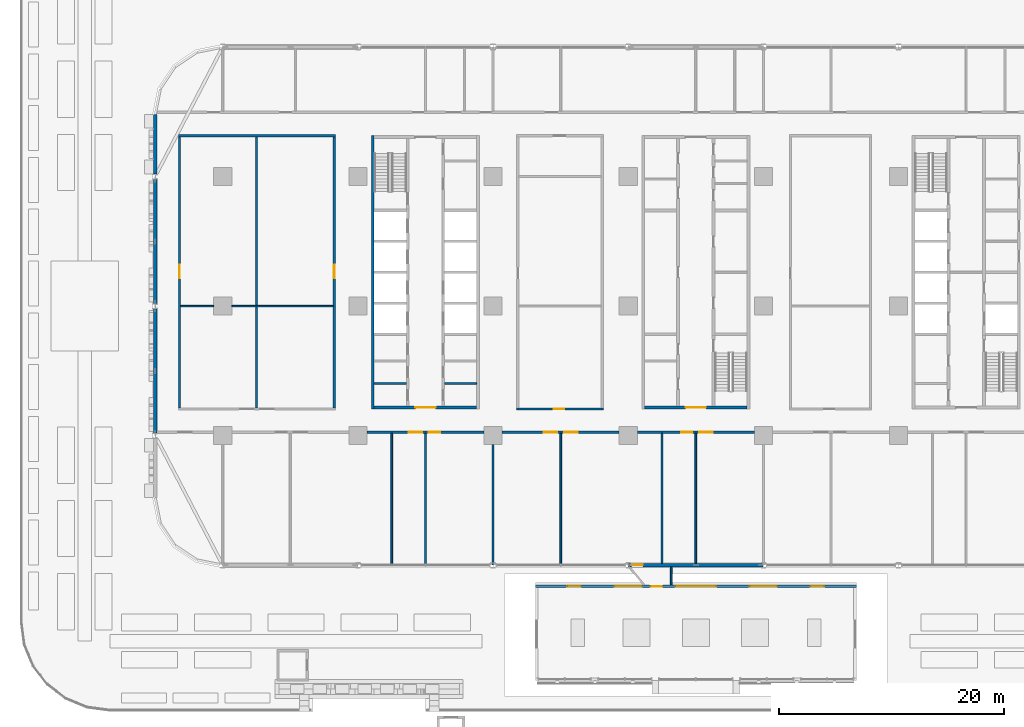
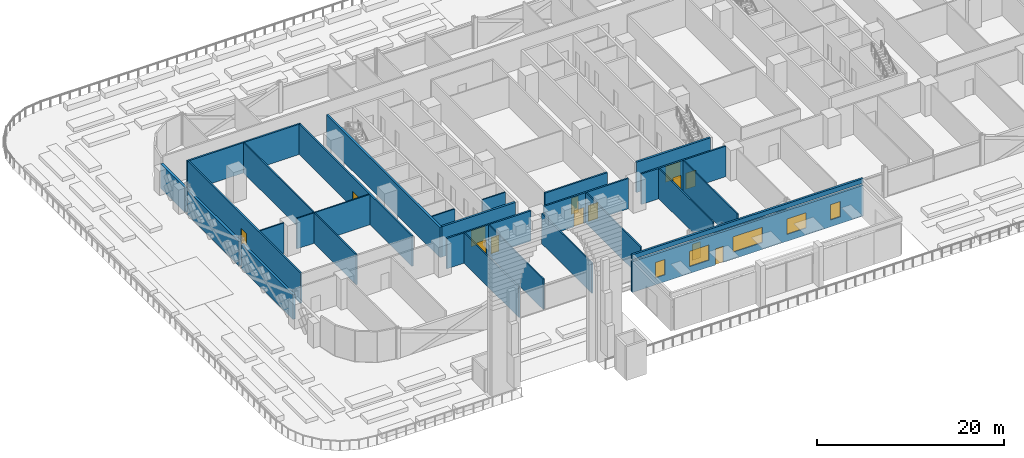
# One storey, part 12 of 39: 28 walls, 13 doors, 5 windows, 18 openings.
"""IFC4 building model written with IfcOpenShell, lengths in metres."""

import ifcopenshell
import ifcopenshell.guid

model = None  # the IFC model being written
_history = None  # IfcOwnerHistory: only IFC2X3 demands one
_inside = {}  # id of a spatial element -> (the spatial element, [elements in it])
_under = {}  # id of a project, library or spatial element -> (it, [spatial elements below it])
_declared = {}  # id of a project -> (the project, [libraries it declares])
_typed = {}  # id of a type object -> (the type object, [elements of that type])
_made_of = {}  # id of a material, layer set ... -> (it, [elements and type objects made of it])


def new_model(schema):
    """Start an empty IFC model of exactly this schema.

    Asked for "IFC4X3", IfcOpenShell would pick the latest addendum, in which some entities
    have other attributes; the version numbers below select the first issue.
    IFC2X3 requires an IfcOwnerHistory on every rooted entity: one is made here for all.
    """
    global model, _history
    if schema == "IFC4X3":
        model = ifcopenshell.file(schema_version=(4, 3, 0, 0))
    else:
        model = ifcopenshell.file(schema=schema)
    _inside.clear()
    _under.clear()
    _declared.clear()
    _typed.clear()
    _made_of.clear()
    _history = None
    if model.schema == "IFC2X3":
        org = make("IfcOrganization", Name="unknown")
        user = make(
            "IfcPersonAndOrganization",
            ThePerson=make("IfcPerson", FamilyName="unknown"),
            TheOrganization=org,
        )
        app = make(
            "IfcApplication",
            ApplicationDeveloper=org,
            Version="unknown",
            ApplicationFullName="unknown",
            ApplicationIdentifier="unknown",
        )
        _history = make(
            "IfcOwnerHistory",
            OwningUser=user,
            OwningApplication=app,
            ChangeAction="ADDED",
            CreationDate=0,
        )
    return model


def make(cls, **values):
    """One entity of the class cls with the attributes given. An attribute that is None is left unset."""
    return model.create_entity(
        cls, **{name: value for name, value in values.items() if value is not None}
    )


def rooted(cls, **values):
    """An entity with a GlobalId (a new one), such as an element, a storey or a relation."""
    return make(cls, GlobalId=ifcopenshell.guid.new(), OwnerHistory=_history, **values)


def si_unit(unit_type, name, prefix=None):
    """IfcSIUnit, for example si_unit("LENGTHUNIT", "METRE", prefix="MILLI")."""
    return make("IfcSIUnit", UnitType=unit_type, Prefix=prefix, Name=name)


def assignment(units):
    """IfcUnitAssignment: the units of a project."""
    return None if units is None else make("IfcUnitAssignment", Units=units)


def point(xyz):
    """IfcCartesianPoint."""
    return None if xyz is None else make("IfcCartesianPoint", Coordinates=xyz)


def direction(xyz):
    """IfcDirection."""
    return None if xyz is None else make("IfcDirection", DirectionRatios=xyz)


def frame(location, z_axis=None, x_axis=None):
    """IfcAxis2Placement3D, a coordinate frame: its origin and axes. An axis left out is left unset."""
    return make(
        "IfcAxis2Placement3D",
        Location=point(location),
        Axis=direction(z_axis),
        RefDirection=direction(x_axis),
    )


def frame_2d(location, x_axis=None):
    """IfcAxis2Placement2D, a coordinate frame in the plane: its origin and x axis."""
    return make(
        "IfcAxis2Placement2D", Location=point(location), RefDirection=direction(x_axis)
    )


def origin():
    """The frame at (0, 0, 0) with its axes left unset."""
    return frame((0.0, 0.0, 0.0))


def place(relative_to, where):
    """IfcLocalPlacement: puts the frame where relative to a parent placement (None: the world)."""
    return make(
        "IfcLocalPlacement", PlacementRelTo=relative_to, RelativePlacement=where
    )


def context(
    kind, dimensions, precision=None, world=None, true_north=None, identifier=None
):
    """IfcGeometricRepresentationContext, for example the 3D "Model" context."""
    return make(
        "IfcGeometricRepresentationContext",
        ContextIdentifier=identifier,
        ContextType=kind,
        CoordinateSpaceDimension=dimensions,
        Precision=precision,
        WorldCoordinateSystem=world,
        TrueNorth=true_north,
    )


def subcontext(parent, identifier, kind, view, scale=None):
    """IfcGeometricRepresentationSubContext, for example "Body" below "Model"."""
    return make(
        "IfcGeometricRepresentationSubContext",
        ContextIdentifier=identifier,
        ContextType=kind,
        ParentContext=parent,
        TargetScale=scale,
        TargetView=view,
    )


def project(units=None, contexts=None):
    """IfcProject with its units and contexts."""
    return rooted(
        "IfcProject",
        Name="project",
        RepresentationContexts=contexts,
        UnitsInContext=assignment(units),
    )


def spatial(cls, under=None, at=None, **own):
    """A site, building, storey or space (cls), placed at a placement, below another one or the project."""
    s = rooted(cls, ObjectPlacement=at, **own)
    if under is not None:
        _under.setdefault(under.id(), (under, []))[1].append(s)
    return s


def profile(cls, at=None, kind="AREA", **sizes):
    """A parametric profile (cls). Its sizes go by their IFC names, for example OverallWidth=200.0."""
    return make(cls, ProfileType=kind, Position=at, **sizes)


def rectangle(**sizes):
    """IfcRectangleProfileDef."""
    return profile("IfcRectangleProfileDef", **sizes)


def extrude(swept, where, along, depth):
    """IfcExtrudedAreaSolid: the profile swept, set in the frame where, extruded along a direction by depth."""
    return make(
        "IfcExtrudedAreaSolid",
        SweptArea=swept,
        Position=where,
        ExtrudedDirection=direction(along),
        Depth=depth,
    )


def shape(context_of_items, identifier, shape_type, items):
    """IfcShapeRepresentation: the items that make up one representation, for example the "Body"."""
    return make(
        "IfcShapeRepresentation",
        ContextOfItems=context_of_items,
        RepresentationIdentifier=identifier,
        RepresentationType=shape_type,
        Items=items,
    )


def material(Name=None, Category=None):
    """IfcMaterial."""
    return make("IfcMaterial", Name=Name, Category=Category)


def layer(
    of_material, thickness, ventilated=None, Name=None, Category=None, Priority=None
):
    """IfcMaterialLayer: one layer of a wall or slab, of a material (None: an air gap)."""
    return make(
        "IfcMaterialLayer",
        Material=of_material,
        LayerThickness=thickness,
        IsVentilated=ventilated,
        Name=Name,
        Category=Category,
        Priority=Priority,
    )


def layer_set(layers, Name=None):
    """IfcMaterialLayerSet."""
    return make("IfcMaterialLayerSet", MaterialLayers=layers, LayerSetName=Name)


def made_of(thing, what):
    """Note that an element or type object is made of a material, layer set ...; save() writes the relation."""
    if what is not None:
        _made_of.setdefault(what.id(), (what, []))[1].append(thing)
    return thing


def type_object(cls, material=None, **own):
    """A type object (cls), such as IfcWallType, which elements share."""
    return made_of(rooted(cls, **own), material)


def element(
    cls,
    number,
    at=None,
    inside=None,
    cuts=None,
    type_object=None,
    material=None,
    context=None,
    identifier="Body",
    shape_type=None,
    held_by="IfcProductDefinitionShape",
    body=None,
    shapes=None,
    **own,
):
    """One element of the class cls, such as IfcWall. Its Tag is "e" and its number.

    at: its placement. inside: the storey or other place that contains it. cuts: it is an
    opening in that element (IfcRelVoidsElement). A single representation is given by context,
    identifier, shape_type and body (its items); several are given by shapes. held_by: the class
    of the entity that holds the representations. save() writes the other relations.
    """
    e = rooted(cls, Tag="e%d" % number, ObjectPlacement=at, **own)
    if body is not None:
        shapes = [shape(context, identifier, shape_type, body)]
    if shapes is not None:
        e.Representation = make(held_by, Representations=shapes)
    if inside is not None:
        _inside.setdefault(inside.id(), (inside, []))[1].append(e)
    if cuts is not None:
        rooted(
            "IfcRelVoidsElement", RelatingBuildingElement=cuts, RelatedOpeningElement=e
        )
    if type_object is not None:
        _typed.setdefault(type_object.id(), (type_object, []))[1].append(e)
    return made_of(e, material)


def fill(opening, filler):
    """IfcRelFillsElement: the door or window that sits in an opening."""
    return rooted(
        "IfcRelFillsElement",
        RelatingOpeningElement=opening,
        RelatedBuildingElement=filler,
    )


def aggregate(whole, parts):
    """IfcRelAggregates: a whole, such as a stair, and the parts it consists of."""
    return rooted("IfcRelAggregates", RelatingObject=whole, RelatedObjects=parts)


def save(model, path):
    """Write the relations noted so far, then the file.

    IfcRelAggregates (storeys below a building ...), IfcRelContainedInSpatialStructure (elements
    in a storey), IfcRelDefinesByType, IfcRelAssociatesMaterial and IfcRelDeclares: one each for
    every whole, place, type object, material and project.
    """
    for whole, parts in _under.values():
        aggregate(whole, parts)
    for where, things in _inside.values():
        rooted(
            "IfcRelContainedInSpatialStructure",
            RelatedElements=things,
            RelatingStructure=where,
        )
    for kind, things in _typed.values():
        rooted("IfcRelDefinesByType", RelatedObjects=things, RelatingType=kind)
    for what, things in _made_of.values():
        rooted("IfcRelAssociatesMaterial", RelatedObjects=things, RelatingMaterial=what)
    for by, libraries in _declared.values():
        rooted("IfcRelDeclares", RelatingContext=by, RelatedDefinitions=libraries)
    model.write(path)


model = new_model("IFC4")

# Units and contexts
model_context = context("Model", 3, precision=1e-05, world=origin(), true_north=direction((0.0, 1.0)))
body_context = subcontext(model_context, "Body", "Model", "MODEL_VIEW")
ifc_project = project(units=[si_unit("LENGTHUNIT", "METRE"), si_unit("AREAUNIT", "SQUARE_METRE"), si_unit("VOLUMEUNIT", "CUBIC_METRE"), si_unit("PLANEANGLEUNIT", "RADIAN"), si_unit("MASSUNIT", "GRAM", prefix="KILO")], contexts=[model_context])

# Site, building, storey
site_placement = place(None, origin())
site = spatial("IfcSite", under=ifc_project, at=site_placement, CompositionType="ELEMENT")
building_placement = place(site_placement, origin())
building = spatial("IfcBuilding", under=site, at=building_placement, Name="Mahtab Terrace Research Tower", CompositionType="ELEMENT")
storey_placement = place(building_placement, frame((0.0, 0.0, 7.199951171875)))
storey = spatial("IfcBuildingStorey", under=building, at=storey_placement, Name="L01", CompositionType="ELEMENT", Elevation=7.199951171875)

# Walls
ifc_material_1 = material(Name="Gypsum board partition")
ifc_layer_1 = layer(ifc_material_1, 0.14990234375)
ifc_layer_set_1 = layer_set([ifc_layer_1], Name="Core partition 150")
wall_type_1 = type_object("IfcWallType", Name="Core partition 150", PredefinedType="PARTITIONING", material=ifc_layer_set_1)
for number, where, z_axis, x_axis, name in (
    (1, (-28.550048828125, -6.875, 0.0), (0.0, 0.0, 1.0), (1.0, 0.0, 0.0), "Core wall A pWS-988"),
    (2, (-22.300048828125, -6.875, 0.0), (0.0, 0.0, 1.0), (1.0, 0.0, 0.0), "Core wall A pES-988"),
):
    element("IfcWall", number, at=place(storey_placement, frame(where, z_axis=z_axis, x_axis=x_axis)), inside=storey, type_object=wall_type_1, Name=name, PredefinedType="PARTITIONING", context=body_context, shape_type="SweptSolid", body=[
        extrude(rectangle(XDim=2.85009765625, YDim=0.14990234375, at=frame_2d((1.425048828125, 0.0))), origin(), (0.0, 0.0, 1.0), 3.9599609375),
    ])
ifc_material_2 = material(Name="Concrete C70/85", Category="concrete")
ifc_layer_2 = layer(ifc_material_2, 0.25)
ifc_layer_set_2 = layer_set([ifc_layer_2], Name="Core wall 250")
wall_type_2 = type_object("IfcWallType", Name="Core wall 250", PredefinedType="SOLIDWALL", material=ifc_layer_set_2)
wall_1_placement = place(storey_placement, frame((-28.675048828125, 15.125, 0.0), z_axis=(0.0, 0.0, 1.0), x_axis=(0.0, -1.0, 0.0)))
element("IfcWall", 3, at=wall_1_placement, inside=storey, type_object=wall_type_2, Name="Core wall A outerW", PredefinedType="SOLIDWALL", context=body_context, shape_type="SweptSolid", body=[
    extrude(rectangle(XDim=24.25, YDim=0.25, at=frame_2d((12.125, 0.0))), origin(), (0.0, 0.0, 1.0), 3.9599609375),
])

# Wall, opening, door
wall_2_placement = place(storey_placement, frame((-19.449951171875, -9.0, 0.0), z_axis=(0.0, 0.0, 1.0), x_axis=(-1.0, 0.0, 0.0)))
wall_2 = element("IfcWall", 4, at=wall_2_placement, inside=storey, type_object=wall_type_2, Name="Core wall A endS", PredefinedType="SOLIDWALL", context=body_context, shape_type="SweptSolid", body=[
    extrude(rectangle(XDim=9.10009765625, YDim=0.25, at=frame_2d((4.550048828125, 0.0))), origin(), (0.0, 0.0, 1.0), 3.9599609375),
])
opening_1_placement = place(wall_2_placement, frame((3.64990234375, 0.0, 0.0)))
opening_1 = element("IfcOpeningElement", 5, at=opening_1_placement, cuts=wall_2, Name="Opening A-S1", PredefinedType="OPENING", context=body_context, shape_type="SweptSolid", body=[
    extrude(rectangle(XDim=1.800048828125, YDim=2.10009765625, at=frame_2d((0.89990234375, 1.050048828125))), frame((0.0, 0.135009765625, 0.0), z_axis=(0.0, -1.0, 0.0), x_axis=(1.0, 0.0, 0.0)), (0.0, 0.0, 1.0), 0.27001953125),
])
ifc_material_3 = material(Name="Steel fire door", Category="steel")
door_type_1 = type_object("IfcDoorType", Name="Lobby double door 1800x2100 1 HR", OperationType="DOUBLE_DOOR_SINGLE_SWING", PredefinedType="DOOR", material=ifc_material_3)
door_1_placement = place(opening_1_placement, origin())
door_1 = element("IfcDoor", 6, at=door_1_placement, inside=storey, type_object=door_type_1, Name="Core entrance door A S", OperationType="DOUBLE_DOOR_SINGLE_SWING", OverallHeight=2.10009765625, OverallWidth=1.800048828125, PredefinedType="DOOR", context=body_context, shape_type="SweptSolid", body=[
    extrude(rectangle(XDim=1.800048828125, YDim=2.10009765625, at=frame_2d((0.89990234375, 1.050048828125))), frame((0.0, 0.02490234375, 0.0), z_axis=(0.0, -1.0, 0.0), x_axis=(1.0, 0.0, 0.0)), (0.0, 0.0, 1.0), 0.050048828125),
])
fill(opening_1, door_1)

wall_3_placement = place(storey_placement, frame((4.550048828125, -9.0, 0.0), z_axis=(0.0, 0.0, 1.0), x_axis=(-1.0, 0.0, 0.0)))
wall_3 = element("IfcWall", 7, at=wall_3_placement, inside=storey, type_object=wall_type_2, Name="Core wall B endS", PredefinedType="SOLIDWALL", context=body_context, shape_type="SweptSolid", body=[
    extrude(rectangle(XDim=9.10009765625, YDim=0.25, at=frame_2d((4.550048828125, 0.0))), origin(), (0.0, 0.0, 1.0), 3.9599609375),
])
opening_2_placement = place(wall_3_placement, frame((3.64990234375, 0.0, 0.0)))
opening_2 = element("IfcOpeningElement", 8, at=opening_2_placement, cuts=wall_3, Name="Opening B-S1", PredefinedType="OPENING", context=body_context, shape_type="SweptSolid", body=[
    extrude(rectangle(XDim=1.800048828125, YDim=2.10009765625, at=frame_2d((0.89990234375, 1.050048828125))), frame((0.0, 0.135009765625, 0.0), z_axis=(0.0, -1.0, 0.0), x_axis=(1.0, 0.0, 0.0)), (0.0, 0.0, 1.0), 0.27001953125),
])
door_2_placement = place(opening_2_placement, origin())
door_2 = element("IfcDoor", 9, at=door_2_placement, inside=storey, type_object=door_type_1, Name="Core entrance door B S", OperationType="DOUBLE_DOOR_SINGLE_SWING", OverallHeight=2.10009765625, OverallWidth=1.800048828125, PredefinedType="DOOR", context=body_context, shape_type="SweptSolid", body=[
    extrude(rectangle(XDim=1.800048828125, YDim=2.10009765625, at=frame_2d((0.89990234375, 1.050048828125))), frame((0.0, 0.02490234375, 0.0), z_axis=(0.0, -1.0, 0.0), x_axis=(1.0, 0.0, 0.0)), (0.0, 0.0, 1.0), 0.050048828125),
])
fill(opening_2, door_2)

# Walls
ifc_material_4 = material(Name="Black aluminium cladding panel", Category="aluminium")
ifc_layer_3 = layer(ifc_material_4, 0.300048828125)
ifc_layer_set_3 = layer_set([ifc_layer_3], Name="Opaque facade wall 300")
wall_type_3 = type_object("IfcWallType", Name="Opaque facade wall 300", PredefinedType="NOTDEFINED", material=ifc_layer_set_3)
wall_4_placement = place(storey_placement, frame((-48.0, 17.0, 0.0), z_axis=(0.0, 0.0, 1.0), x_axis=(0.0, -1.0, 0.0)))
element("IfcWall", 10, at=wall_4_placement, inside=storey, type_object=wall_type_3, Name="Opaque facade wall L01 W14", PredefinedType="NOTDEFINED", context=body_context, shape_type="SweptSolid", body=[
    extrude(rectangle(XDim=5.2509765625, YDim=0.300048828125, at=frame_2d((2.62548828125, 0.0))), origin(), (0.0, 0.0, 1.0), 3.203125),
])
for number, where, z_axis, x_axis, name in (
    (11, (-48.0, 11.2509765625, 0.0), (0.0, 0.0, 1.0), (0.0, -1.0, 0.0), "Opaque facade wall L01 W15"),
    (12, (-48.0, -0.2490234375, 0.0), (0.0, 0.0, 1.0), (0.0, -1.0, 0.0), "Opaque facade wall L01 W16"),
):
    element("IfcWall", number, at=place(storey_placement, frame(where, z_axis=z_axis, x_axis=x_axis)), inside=storey, type_object=wall_type_3, Name=name, PredefinedType="NOTDEFINED", context=body_context, shape_type="SweptSolid", body=[
        extrude(rectangle(XDim=11.001953125, YDim=0.300048828125, at=frame_2d((5.5009765625, 0.0))), origin(), (0.0, 0.0, 1.0), 3.203125),
    ])

# Wall, opening, door
wall_5_placement = place(storey_placement, frame((-5.97216796875, -23.0, 0.0), z_axis=(0.0, 0.0, 1.0), x_axis=(1.0, 0.0, 0.0)))
wall_5 = element("IfcWall", 13, at=wall_5_placement, inside=storey, type_object=wall_type_3, Name="Opaque facade wall L01 S25", PredefinedType="NOTDEFINED", context=body_context, shape_type="SweptSolid", body=[
    extrude(rectangle(XDim=11.9443359375, YDim=0.300048828125, at=frame_2d((5.97216796875, 0.0))), origin(), (0.0, 0.0, 1.0), 3.203125),
])
opening_3_placement = place(wall_5_placement, frame((0.272216796875, 0.0, 0.0)))
opening_3 = element("IfcOpeningElement", 14, at=opening_3_placement, cuts=wall_5, Name="Opening PVL-2", PredefinedType="OPENING", context=body_context, shape_type="SweptSolid", body=[
    extrude(rectangle(XDim=1.0, YDim=2.10009765625, at=frame_2d((0.5, 1.050048828125))), frame((0.0, 0.159912109375, 0.0), z_axis=(0.0, -1.0, 0.0), x_axis=(1.0, 0.0, 0.0)), (0.0, 0.0, 1.0), 0.320068359375),
])
ifc_material_5 = material(Name="Aluminium framed glazed door", Category="aluminium")
door_type_2 = type_object("IfcDoorType", Name="Link door 1000x2100", OperationType="NOTDEFINED", PredefinedType="DOOR", material=ifc_material_5)
door_3_placement = place(opening_3_placement, origin())
door_3 = element("IfcDoor", 15, at=door_3_placement, inside=storey, type_object=door_type_2, Name="Tower link door", OperationType="SINGLE_SWING_RIGHT", OverallHeight=2.10009765625, OverallWidth=1.0, PredefinedType="DOOR", context=body_context, shape_type="SweptSolid", body=[
    extrude(rectangle(XDim=1.0, YDim=2.10009765625, at=frame_2d((0.5, 1.050048828125))), frame((0.0, 0.02490234375, 0.0), z_axis=(0.0, -1.0, 0.0), x_axis=(1.0, 0.0, 0.0)), (0.0, 0.0, 1.0), 0.050048828125),
])
fill(opening_3, door_3)

# Wall
ifc_material_6 = material(Name="Concrete C40/50", Category="concrete")
ifc_layer_4 = layer(ifc_material_6, 0.14990234375)
ifc_layer_set_4 = layer_set([ifc_layer_4], Name="Pavilion link wall 150")
wall_type_4 = type_object("IfcWallType", Name="Pavilion link wall 150", PredefinedType="SOLIDWALL", material=ifc_layer_set_4)
wall_6_placement = place(storey_placement, frame((-2.175048828125, -24.75, 0.0), z_axis=(0.0, 0.0, 1.0), x_axis=(0.0, 1.0, 0.0)))
element("IfcWall", 16, at=wall_6_placement, inside=storey, type_object=wall_type_4, Name="Pavilion link wall E", PredefinedType="SOLIDWALL", context=body_context, shape_type="SweptSolid", body=[
    extrude(rectangle(XDim=1.60009765625, YDim=0.14990234375, at=frame_2d((0.800048828125, 0.0))), origin(), (0.0, 0.0, 1.0), 3.800048828125),
])

# Wall, openings, windows, door
ifc_layer_5 = layer(ifc_material_2, 0.25)
ifc_layer_set_5 = layer_set([ifc_layer_5], Name="Pavilion wall 250")
wall_type_5 = type_object("IfcWallType", Name="Pavilion wall 250", PredefinedType="SOLIDWALL", material=ifc_layer_set_5)
wall_7_placement = place(storey_placement, frame((-14.25, -24.875, 0.0), z_axis=(0.0, 0.0, 1.0), x_axis=(1.0, 0.0, 0.0)))
wall_7 = element("IfcWall", 17, at=wall_7_placement, inside=storey, type_object=wall_type_5, Name="Pavilion rear wall", PredefinedType="SOLIDWALL", context=body_context, shape_type="SweptSolid", body=[
    extrude(rectangle(XDim=28.5, YDim=0.25, at=frame_2d((14.25, 0.0))), origin(), (0.0, 0.0, 1.0), 4.0),
])
opening_4_placement = place(wall_7_placement, frame((2.85009765625, 0.0, 0.89990234375)))
opening_4 = element("IfcOpeningElement", 18, at=opening_4_placement, cuts=wall_7, Name="Opening WN3", PredefinedType="OPENING", context=body_context, shape_type="SweptSolid", body=[
    extrude(rectangle(XDim=1.199951171875, YDim=2.0, at=frame_2d((0.60009765625, 1.0))), frame((0.0, 0.135009765625, 0.0), z_axis=(0.0, -1.0, 0.0), x_axis=(1.0, 0.0, 0.0)), (0.0, 0.0, 1.0), 0.27001953125),
])
opening_5_placement = place(wall_7_placement, frame((7.050048828125, 0.0, 0.89990234375)))
opening_5 = element("IfcOpeningElement", 19, at=opening_5_placement, cuts=wall_7, Name="Opening WN1", PredefinedType="OPENING", context=body_context, shape_type="SweptSolid", body=[
    extrude(rectangle(XDim=2.39990234375, YDim=2.0, at=frame_2d((1.199951171875, 1.0))), frame((0.0, 0.135009765625, 0.0), z_axis=(0.0, -1.0, 0.0), x_axis=(1.0, 0.0, 0.0)), (0.0, 0.0, 1.0), 0.27001953125),
])
opening_6_placement = place(wall_7_placement, frame((12.449951171875, 0.0, 0.89990234375)))
opening_6 = element("IfcOpeningElement", 20, at=opening_6_placement, cuts=wall_7, Name="Opening WN2", PredefinedType="OPENING", context=body_context, shape_type="SweptSolid", body=[
    extrude(rectangle(XDim=3.60009765625, YDim=2.0, at=frame_2d((1.800048828125, 1.0))), frame((0.0, 0.135009765625, 0.0), z_axis=(0.0, -1.0, 0.0), x_axis=(1.0, 0.0, 0.0)), (0.0, 0.0, 1.0), 0.27001953125),
])
opening_7_placement = place(wall_7_placement, frame((19.050048828125, 0.0, 0.89990234375)))
opening_7 = element("IfcOpeningElement", 21, at=opening_7_placement, cuts=wall_7, Name="Opening WN1", PredefinedType="OPENING", context=body_context, shape_type="SweptSolid", body=[
    extrude(rectangle(XDim=2.39990234375, YDim=2.0, at=frame_2d((1.199951171875, 1.0))), frame((0.0, 0.135009765625, 0.0), z_axis=(0.0, -1.0, 0.0), x_axis=(1.0, 0.0, 0.0)), (0.0, 0.0, 1.0), 0.27001953125),
])
opening_8_placement = place(wall_7_placement, frame((24.449951171875, 0.0, 0.89990234375)))
opening_8 = element("IfcOpeningElement", 22, at=opening_8_placement, cuts=wall_7, Name="Opening WN3", PredefinedType="OPENING", context=body_context, shape_type="SweptSolid", body=[
    extrude(rectangle(XDim=1.199951171875, YDim=2.0, at=frame_2d((0.60009765625, 1.0))), frame((0.0, 0.135009765625, 0.0), z_axis=(0.0, -1.0, 0.0), x_axis=(1.0, 0.0, 0.0)), (0.0, 0.0, 1.0), 0.27001953125),
])
opening_9_placement = place(wall_7_placement, frame((10.25, 0.0, 0.0)))
opening_9 = element("IfcOpeningElement", 23, at=opening_9_placement, cuts=wall_7, Name="Opening PVL-1", PredefinedType="OPENING", context=body_context, shape_type="SweptSolid", body=[
    extrude(rectangle(XDim=1.0, YDim=2.10009765625, at=frame_2d((0.5, 1.050048828125))), frame((0.0, 0.135009765625, 0.0), z_axis=(0.0, -1.0, 0.0), x_axis=(1.0, 0.0, 0.0)), (0.0, 0.0, 1.0), 0.27001953125),
])
ifc_material_7 = material(Name="Clear low-iron glazing", Category="glass")
window_type_1 = type_object("IfcWindowType", Name="Fixed window 2400x2000", PartitioningType="SINGLE_PANEL", PredefinedType="WINDOW", material=ifc_material_7)
window_1_placement = place(opening_5_placement, origin())
window_1 = element("IfcWindow", 24, at=window_1_placement, inside=storey, type_object=window_type_1, Name="Pavilion window 2", OverallHeight=2.0, OverallWidth=2.39990234375, PartitioningType="SINGLE_PANEL", PredefinedType="WINDOW", context=body_context, shape_type="SweptSolid", body=[
    extrude(rectangle(XDim=2.39990234375, YDim=2.0, at=frame_2d((1.199951171875, 1.0))), frame((0.0, 0.030029296875, 0.0), z_axis=(0.0, -1.0, 0.0), x_axis=(1.0, 0.0, 0.0)), (0.0, 0.0, 1.0), 0.06005859375),
])
fill(opening_5, window_1)
window_2_placement = place(opening_7_placement, origin())
window_2 = element("IfcWindow", 25, at=window_2_placement, inside=storey, type_object=window_type_1, Name="Pavilion window 4", OverallHeight=2.0, OverallWidth=2.39990234375, PartitioningType="SINGLE_PANEL", PredefinedType="WINDOW", context=body_context, shape_type="SweptSolid", body=[
    extrude(rectangle(XDim=2.39990234375, YDim=2.0, at=frame_2d((1.199951171875, 1.0))), frame((0.0, 0.030029296875, 0.0), z_axis=(0.0, -1.0, 0.0), x_axis=(1.0, 0.0, 0.0)), (0.0, 0.0, 1.0), 0.06005859375),
])
fill(opening_7, window_2)
window_type_2 = type_object("IfcWindowType", Name="Fixed window 3600x2000", PartitioningType="SINGLE_PANEL", PredefinedType="WINDOW", material=ifc_material_7)
window_3_placement = place(opening_6_placement, origin())
window_3 = element("IfcWindow", 26, at=window_3_placement, inside=storey, type_object=window_type_2, Name="Pavilion window 3", OverallHeight=2.0, OverallWidth=3.60009765625, PartitioningType="SINGLE_PANEL", PredefinedType="WINDOW", context=body_context, shape_type="SweptSolid", body=[
    extrude(rectangle(XDim=3.60009765625, YDim=2.0, at=frame_2d((1.800048828125, 1.0))), frame((0.0, 0.030029296875, 0.0), z_axis=(0.0, -1.0, 0.0), x_axis=(1.0, 0.0, 0.0)), (0.0, 0.0, 1.0), 0.06005859375),
])
fill(opening_6, window_3)
door_type_3 = type_object("IfcDoorType", Name="Link fire door 1000x2100 1.5 HR", OperationType="NOTDEFINED", PredefinedType="DOOR", material=ifc_material_3)
door_4_placement = place(opening_9_placement, origin())
door_4 = element("IfcDoor", 27, at=door_4_placement, inside=storey, type_object=door_type_3, Name="Pavilion link door", OperationType="SINGLE_SWING_LEFT", OverallHeight=2.10009765625, OverallWidth=1.0, PredefinedType="DOOR", context=body_context, shape_type="SweptSolid", body=[
    extrude(rectangle(XDim=1.0, YDim=2.10009765625, at=frame_2d((0.5, 1.050048828125))), frame((0.0, 0.02490234375, 0.0), z_axis=(0.0, -1.0, 0.0), x_axis=(1.0, 0.0, 0.0)), (0.0, 0.0, 1.0), 0.050048828125),
])
fill(opening_9, door_4)
window_type_3 = type_object("IfcWindowType", Name="Operable casement window 1200x2000", PartitioningType="DOUBLE_PANEL_VERTICAL", PredefinedType="WINDOW", material=ifc_material_7)
window_4_placement = place(opening_4_placement, origin())
window_4 = element("IfcWindow", 28, at=window_4_placement, inside=storey, type_object=window_type_3, Name="Pavilion window 1", OverallHeight=2.0, OverallWidth=1.199951171875, PartitioningType="SINGLE_PANEL", PredefinedType="WINDOW", context=body_context, shape_type="SweptSolid", body=[
    extrude(rectangle(XDim=1.199951171875, YDim=2.0, at=frame_2d((0.60009765625, 1.0))), frame((0.0, 0.030029296875, 0.0), z_axis=(0.0, -1.0, 0.0), x_axis=(1.0, 0.0, 0.0)), (0.0, 0.0, 1.0), 0.06005859375),
])
fill(opening_4, window_4)
window_5_placement = place(opening_8_placement, origin())
window_5 = element("IfcWindow", 29, at=window_5_placement, inside=storey, type_object=window_type_3, Name="Pavilion window 5", OverallHeight=2.0, OverallWidth=1.199951171875, PartitioningType="SINGLE_PANEL", PredefinedType="WINDOW", context=body_context, shape_type="SweptSolid", body=[
    extrude(rectangle(XDim=1.199951171875, YDim=2.0, at=frame_2d((0.60009765625, 1.0))), frame((0.0, 0.030029296875, 0.0), z_axis=(0.0, -1.0, 0.0), x_axis=(1.0, 0.0, 0.0)), (0.0, 0.0, 1.0), 0.06005859375),
])
fill(opening_8, window_5)

# Wall
ifc_material_8 = material(Name="Precast concrete C40/50", Category="concrete")
ifc_layer_6 = layer(ifc_material_8, 0.25)
ifc_layer_set_6 = layer_set([ifc_layer_6], Name="Roof parapet wall 250")
wall_type_6 = type_object("IfcWallType", Name="Roof parapet wall 250", PredefinedType="PARAPET", material=ifc_layer_set_6)
wall_8_placement = place(storey_placement, frame((-14.25, -24.875, 4.300048828125), z_axis=(0.0, 0.0, 1.0), x_axis=(1.0, 0.0, 0.0)))
element("IfcWall", 30, at=wall_8_placement, inside=storey, type_object=wall_type_6, Name="Pavilion roof parapet N", PredefinedType="PARAPET", context=body_context, shape_type="SweptSolid", body=[
    extrude(rectangle(XDim=28.5, YDim=0.25, at=frame_2d((14.25, 0.0))), origin(), (0.0, 0.0, 1.0), 0.60009765625),
])

# Wall, openings, doors
ifc_material_9 = material(Name="Gypsum board corridor wall on steel studs", Category="steel")
ifc_layer_7 = layer(ifc_material_9, 0.199951171875)
ifc_layer_set_7 = layer_set([ifc_layer_7], Name="WALL CORRIDOR 200")
wall_type_7 = type_object("IfcWallType", Name="WALL CORRIDOR 200", PredefinedType="PARTITIONING", material=ifc_layer_set_7)
wall_9_placement = place(storey_placement, frame((-29.199951171875, -11.199951171875, 0.0), z_axis=(0.0, 0.0, 1.0), x_axis=(1.0, 0.0, 0.0)))
wall_9 = element("IfcWall", 31, at=wall_9_placement, inside=storey, type_object=wall_type_7, Name="L01-W003", PredefinedType="PARTITIONING", context=body_context, shape_type="SweptSolid", body=[
    extrude(rectangle(XDim=10.39990234375, YDim=0.199951171875, at=frame_2d((5.199951171875, 0.0))), origin(), (0.0, 0.0, 1.0), 3.9599609375),
])
opening_10_placement = place(wall_9_placement, frame((3.699951171875, 0.0, 0.0)))
opening_10 = element("IfcOpeningElement", 32, at=opening_10_placement, cuts=wall_9, Name="Opening L01-104", PredefinedType="OPENING", context=body_context, shape_type="SweptSolid", body=[
    extrude(rectangle(XDim=1.199951171875, YDim=2.10009765625, at=frame_2d((0.60009765625, 1.050048828125))), frame((0.0, 0.10986328125, 0.0), z_axis=(0.0, -1.0, 0.0), x_axis=(1.0, 0.0, 0.0)), (0.0, 0.0, 1.0), 0.219970703125),
])
opening_11_placement = place(wall_9_placement, frame((5.5, 0.0, 0.0)))
opening_11 = element("IfcOpeningElement", 33, at=opening_11_placement, cuts=wall_9, Name="Opening L01-105", PredefinedType="OPENING", context=body_context, shape_type="SweptSolid", body=[
    extrude(rectangle(XDim=1.0, YDim=2.10009765625, at=frame_2d((0.5, 1.050048828125))), frame((0.0, 0.10986328125, 0.0), z_axis=(0.0, -1.0, 0.0), x_axis=(1.0, 0.0, 0.0)), (0.0, 0.0, 1.0), 0.219970703125),
])
ifc_material_10 = material(Name="Timber door leaf in steel frame", Category="steel")
door_type_4 = type_object("IfcDoorType", Name="DOOR 1000X2100 FD30S", OperationType="SINGLE_SWING_LEFT", PredefinedType="DOOR", material=ifc_material_10)
door_5_placement = place(opening_11_placement, origin())
door_5 = element("IfcDoor", 34, at=door_5_placement, inside=storey, type_object=door_type_4, Name="Door L01-105", OperationType="SINGLE_SWING_LEFT", OverallHeight=2.10009765625, OverallWidth=1.0, PredefinedType="DOOR", context=body_context, shape_type="SweptSolid", body=[
    extrude(rectangle(XDim=1.0, YDim=2.10009765625, at=frame_2d((0.5, 1.050048828125))), frame((0.0, 0.02490234375, 0.0), z_axis=(0.0, -1.0, 0.0), x_axis=(1.0, 0.0, 0.0)), (0.0, 0.0, 1.0), 0.050048828125),
])
fill(opening_11, door_5)
door_type_5 = type_object("IfcDoorType", Name="DOOR 1200X2100 FD30S", OperationType="SINGLE_SWING_LEFT", PredefinedType="DOOR", material=ifc_material_10)
door_6_placement = place(opening_10_placement, origin())
door_6 = element("IfcDoor", 35, at=door_6_placement, inside=storey, type_object=door_type_5, Name="Door L01-104", OperationType="SINGLE_SWING_RIGHT", OverallHeight=2.10009765625, OverallWidth=1.199951171875, PredefinedType="DOOR", context=body_context, shape_type="SweptSolid", body=[
    extrude(rectangle(XDim=1.199951171875, YDim=2.10009765625, at=frame_2d((0.60009765625, 1.050048828125))), frame((0.0, 0.02490234375, 0.0), z_axis=(0.0, -1.0, 0.0), x_axis=(1.0, 0.0, 0.0)), (0.0, 0.0, 1.0), 0.050048828125),
])
fill(opening_10, door_6)

wall_10_placement = place(storey_placement, frame((-17.199951171875, -11.199951171875, 0.0), z_axis=(0.0, 0.0, 1.0), x_axis=(1.0, 0.0, 0.0)))
wall_10 = element("IfcWall", 36, at=wall_10_placement, inside=storey, type_object=wall_type_7, Name="L01-W004", PredefinedType="PARTITIONING", context=body_context, shape_type="SweptSolid", body=[
    extrude(rectangle(XDim=10.39990234375, YDim=0.199951171875, at=frame_2d((5.199951171875, 0.0))), origin(), (0.0, 0.0, 1.0), 3.9599609375),
])
opening_12_placement = place(wall_10_placement, frame((3.699951171875, 0.0, 0.0)))
opening_12 = element("IfcOpeningElement", 37, at=opening_12_placement, cuts=wall_10, Name="Opening L01-106", PredefinedType="OPENING", context=body_context, shape_type="SweptSolid", body=[
    extrude(rectangle(XDim=1.199951171875, YDim=2.10009765625, at=frame_2d((0.60009765625, 1.050048828125))), frame((0.0, 0.10986328125, 0.0), z_axis=(0.0, -1.0, 0.0), x_axis=(1.0, 0.0, 0.0)), (0.0, 0.0, 1.0), 0.219970703125),
])
opening_13_placement = place(wall_10_placement, frame((5.5, 0.0, 0.0)))
opening_13 = element("IfcOpeningElement", 38, at=opening_13_placement, cuts=wall_10, Name="Opening L01-107", PredefinedType="OPENING", context=body_context, shape_type="SweptSolid", body=[
    extrude(rectangle(XDim=1.199951171875, YDim=2.10009765625, at=frame_2d((0.60009765625, 1.050048828125))), frame((0.0, 0.10986328125, 0.0), z_axis=(0.0, -1.0, 0.0), x_axis=(1.0, 0.0, 0.0)), (0.0, 0.0, 1.0), 0.219970703125),
])
door_7_placement = place(opening_12_placement, origin())
door_7 = element("IfcDoor", 39, at=door_7_placement, inside=storey, type_object=door_type_5, Name="Door L01-106", OperationType="SINGLE_SWING_RIGHT", OverallHeight=2.10009765625, OverallWidth=1.199951171875, PredefinedType="DOOR", context=body_context, shape_type="SweptSolid", body=[
    extrude(rectangle(XDim=1.199951171875, YDim=2.10009765625, at=frame_2d((0.60009765625, 1.050048828125))), frame((0.0, 0.02490234375, 0.0), z_axis=(0.0, -1.0, 0.0), x_axis=(1.0, 0.0, 0.0)), (0.0, 0.0, 1.0), 0.050048828125),
])
fill(opening_12, door_7)
door_8_placement = place(opening_13_placement, origin())
door_8 = element("IfcDoor", 40, at=door_8_placement, inside=storey, type_object=door_type_5, Name="Door L01-107", OperationType="SINGLE_SWING_LEFT", OverallHeight=2.10009765625, OverallWidth=1.199951171875, PredefinedType="DOOR", context=body_context, shape_type="SweptSolid", body=[
    extrude(rectangle(XDim=1.199951171875, YDim=2.10009765625, at=frame_2d((0.60009765625, 1.050048828125))), frame((0.0, 0.02490234375, 0.0), z_axis=(0.0, -1.0, 0.0), x_axis=(1.0, 0.0, 0.0)), (0.0, 0.0, 1.0), 0.050048828125),
])
fill(opening_13, door_8)

wall_11_placement = place(storey_placement, frame((-5.199951171875, -11.199951171875, 0.0), z_axis=(0.0, 0.0, 1.0), x_axis=(1.0, 0.0, 0.0)))
wall_11 = element("IfcWall", 41, at=wall_11_placement, inside=storey, type_object=wall_type_7, Name="L01-W005", PredefinedType="PARTITIONING", context=body_context, shape_type="SweptSolid", body=[
    extrude(rectangle(XDim=10.39990234375, YDim=0.199951171875, at=frame_2d((5.199951171875, 0.0))), origin(), (0.0, 0.0, 1.0), 3.9599609375),
])
opening_14_placement = place(wall_11_placement, frame((3.89990234375, 0.0, 0.0)))
opening_14 = element("IfcOpeningElement", 42, at=opening_14_placement, cuts=wall_11, Name="Opening L01-108", PredefinedType="OPENING", context=body_context, shape_type="SweptSolid", body=[
    extrude(rectangle(XDim=1.0, YDim=2.10009765625, at=frame_2d((0.5, 1.050048828125))), frame((0.0, 0.10986328125, 0.0), z_axis=(0.0, -1.0, 0.0), x_axis=(1.0, 0.0, 0.0)), (0.0, 0.0, 1.0), 0.219970703125),
])
opening_15_placement = place(wall_11_placement, frame((5.5, 0.0, 0.0)))
opening_15 = element("IfcOpeningElement", 43, at=opening_15_placement, cuts=wall_11, Name="Opening L01-109", PredefinedType="OPENING", context=body_context, shape_type="SweptSolid", body=[
    extrude(rectangle(XDim=1.199951171875, YDim=2.10009765625, at=frame_2d((0.60009765625, 1.050048828125))), frame((0.0, 0.10986328125, 0.0), z_axis=(0.0, -1.0, 0.0), x_axis=(1.0, 0.0, 0.0)), (0.0, 0.0, 1.0), 0.219970703125),
])
door_9_placement = place(opening_14_placement, origin())
door_9 = element("IfcDoor", 44, at=door_9_placement, inside=storey, type_object=door_type_4, Name="Door L01-108", OperationType="SINGLE_SWING_RIGHT", OverallHeight=2.10009765625, OverallWidth=1.0, PredefinedType="DOOR", context=body_context, shape_type="SweptSolid", body=[
    extrude(rectangle(XDim=1.0, YDim=2.10009765625, at=frame_2d((0.5, 1.050048828125))), frame((0.0, 0.02490234375, 0.0), z_axis=(0.0, -1.0, 0.0), x_axis=(1.0, 0.0, 0.0)), (0.0, 0.0, 1.0), 0.050048828125),
])
fill(opening_14, door_9)
door_10_placement = place(opening_15_placement, origin())
door_10 = element("IfcDoor", 45, at=door_10_placement, inside=storey, type_object=door_type_5, Name="Door L01-109", OperationType="SINGLE_SWING_LEFT", OverallHeight=2.10009765625, OverallWidth=1.199951171875, PredefinedType="DOOR", context=body_context, shape_type="SweptSolid", body=[
    extrude(rectangle(XDim=1.199951171875, YDim=2.10009765625, at=frame_2d((0.60009765625, 1.050048828125))), frame((0.0, 0.02490234375, 0.0), z_axis=(0.0, -1.0, 0.0), x_axis=(1.0, 0.0, 0.0)), (0.0, 0.0, 1.0), 0.050048828125),
])
fill(opening_15, door_10)

# Wall, opening, door
wall_12_placement = place(storey_placement, frame((-15.89990234375, -9.125, 0.0), z_axis=(0.0, 0.0, 1.0), x_axis=(1.0, 0.0, 0.0)))
wall_12 = element("IfcWall", 46, at=wall_12_placement, inside=storey, type_object=wall_type_7, Name="L01-W011", PredefinedType="PARTITIONING", context=body_context, shape_type="SweptSolid", body=[
    extrude(rectangle(XDim=7.699951171875, YDim=0.199951171875, at=frame_2d((3.85009765625, 0.0))), origin(), (0.0, 0.0, 1.0), 3.9599609375),
])
opening_16_placement = place(wall_12_placement, frame((3.300048828125, 0.0, 0.0)))
opening_16 = element("IfcOpeningElement", 47, at=opening_16_placement, cuts=wall_12, Name="Opening L01-118", PredefinedType="OPENING", context=body_context, shape_type="SweptSolid", body=[
    extrude(rectangle(XDim=0.89990234375, YDim=2.10009765625, at=frame_2d((0.449951171875, 1.050048828125))), frame((0.0, 0.10986328125, 0.0), z_axis=(0.0, -1.0, 0.0), x_axis=(1.0, 0.0, 0.0)), (0.0, 0.0, 1.0), 0.219970703125),
])
door_type_6 = type_object("IfcDoorType", Name="DOOR 0900X2100 FD30S", OperationType="SINGLE_SWING_LEFT", PredefinedType="DOOR", material=ifc_material_10)
door_11_placement = place(opening_16_placement, origin())
door_11 = element("IfcDoor", 48, at=door_11_placement, inside=storey, type_object=door_type_6, Name="Door L01-118", OperationType="SINGLE_SWING_LEFT", OverallHeight=2.10009765625, OverallWidth=0.89990234375, PredefinedType="DOOR", context=body_context, shape_type="SweptSolid", body=[
    extrude(rectangle(XDim=0.89990234375, YDim=2.10009765625, at=frame_2d((0.449951171875, 1.050048828125))), frame((0.0, 0.02490234375, 0.0), z_axis=(0.0, -1.0, 0.0), x_axis=(1.0, 0.0, 0.0)), (0.0, 0.0, 1.0), 0.050048828125),
])
fill(opening_16, door_11)

# Wall
wall_13_placement = place(storey_placement, frame((-45.949951171875, 15.125, 0.0), z_axis=(0.0, 0.0, 1.0), x_axis=(1.0, 0.0, 0.0)))
element("IfcWall", 49, at=wall_13_placement, inside=storey, type_object=wall_type_7, Name="L01-W023", PredefinedType="PARTITIONING", context=body_context, shape_type="SweptSolid", body=[
    extrude(rectangle(XDim=13.949951171875, YDim=0.199951171875, at=frame_2d((6.97509765625, 0.0))), origin(), (0.0, 0.0, 1.0), 3.9599609375),
])

# Wall, opening, door
wall_14_placement = place(storey_placement, frame((-45.85009765625, -9.02490234375, 0.0), z_axis=(0.0, 0.0, 1.0), x_axis=(0.0, 1.0, 0.0)))
wall_14 = element("IfcWall", 50, at=wall_14_placement, inside=storey, type_object=wall_type_7, Name="L01-W028", PredefinedType="PARTITIONING", context=body_context, shape_type="SweptSolid", body=[
    extrude(rectangle(XDim=24.0498046875, YDim=0.199951171875, at=frame_2d((12.02490234375, 0.0))), origin(), (0.0, 0.0, 1.0), 3.9599609375),
])
opening_17_placement = place(wall_14_placement, frame((11.5, 0.0, 0.0)))
opening_17 = element("IfcOpeningElement", 51, at=opening_17_placement, cuts=wall_14, Name="Opening L01-125", PredefinedType="OPENING", context=body_context, shape_type="SweptSolid", body=[
    extrude(rectangle(XDim=1.199951171875, YDim=2.10009765625, at=frame_2d((0.60009765625, 1.050048828125))), frame((0.0, 0.10986328125, 0.0), z_axis=(0.0, -1.0, 0.0), x_axis=(1.0, 0.0, 0.0)), (0.0, 0.0, 1.0), 0.219970703125),
])
door_12_placement = place(opening_17_placement, origin())
door_12 = element("IfcDoor", 52, at=door_12_placement, inside=storey, type_object=door_type_5, Name="Door L01-125", OperationType="SINGLE_SWING_LEFT", OverallHeight=2.10009765625, OverallWidth=1.199951171875, PredefinedType="DOOR", context=body_context, shape_type="SweptSolid", body=[
    extrude(rectangle(XDim=1.199951171875, YDim=2.10009765625, at=frame_2d((0.60009765625, 1.050048828125))), frame((0.0, 0.02490234375, 0.0), z_axis=(0.0, -1.0, 0.0), x_axis=(1.0, 0.0, 0.0)), (0.0, 0.0, 1.0), 0.050048828125),
])
fill(opening_17, door_12)

wall_15_placement = place(storey_placement, frame((-32.10009765625, -9.02490234375, 0.0), z_axis=(0.0, 0.0, 1.0), x_axis=(0.0, 1.0, 0.0)))
wall_15 = element("IfcWall", 53, at=wall_15_placement, inside=storey, type_object=wall_type_7, Name="L01-W034", PredefinedType="PARTITIONING", context=body_context, shape_type="SweptSolid", body=[
    extrude(rectangle(XDim=24.0498046875, YDim=0.199951171875, at=frame_2d((12.02490234375, 0.0))), origin(), (0.0, 0.0, 1.0), 3.9599609375),
])
opening_18_placement = place(wall_15_placement, frame((11.5, 0.0, 0.0)))
opening_18 = element("IfcOpeningElement", 54, at=opening_18_placement, cuts=wall_15, Name="Opening L01-126", PredefinedType="OPENING", context=body_context, shape_type="SweptSolid", body=[
    extrude(rectangle(XDim=1.199951171875, YDim=2.10009765625, at=frame_2d((0.60009765625, 1.050048828125))), frame((0.0, 0.10986328125, 0.0), z_axis=(0.0, -1.0, 0.0), x_axis=(1.0, 0.0, 0.0)), (0.0, 0.0, 1.0), 0.219970703125),
])
door_13_placement = place(opening_18_placement, origin())
door_13 = element("IfcDoor", 55, at=door_13_placement, inside=storey, type_object=door_type_5, Name="Door L01-126", OperationType="SINGLE_SWING_RIGHT", OverallHeight=2.10009765625, OverallWidth=1.199951171875, PredefinedType="DOOR", context=body_context, shape_type="SweptSolid", body=[
    extrude(rectangle(XDim=1.199951171875, YDim=2.10009765625, at=frame_2d((0.60009765625, 1.050048828125))), frame((0.0, 0.02490234375, 0.0), z_axis=(0.0, -1.0, 0.0), x_axis=(1.0, 0.0, 0.0)), (0.0, 0.0, 1.0), 0.050048828125),
])
fill(opening_18, door_13)

# Walls
ifc_material_11 = material(Name="Gypsum board partition on steel studs", Category="steel")
ifc_layer_8 = layer(ifc_material_11, 0.14990234375)
ifc_layer_set_8 = layer_set([ifc_layer_8], Name="WALL PARTITION 150")
wall_type_8 = type_object("IfcWallType", Name="WALL PARTITION 150", PredefinedType="PARTITIONING", material=ifc_layer_set_8)
wall_16_placement = place(storey_placement, frame((-45.75, 0.0, 0.0), z_axis=(0.0, 0.0, 1.0), x_axis=(1.0, 0.0, 0.0)))
element("IfcWall", 56, at=wall_16_placement, inside=storey, type_object=wall_type_8, Name="L01-W014", PredefinedType="PARTITIONING", context=body_context, shape_type="SweptSolid", body=[
    extrude(rectangle(XDim=2.949951171875, YDim=0.14990234375, at=frame_2d((1.47509765625, 0.0))), origin(), (0.0, 0.0, 1.0), 3.9599609375),
])
wall_17_placement = place(storey_placement, frame((-41.199951171875, 0.0, 0.0), z_axis=(0.0, 0.0, 1.0), x_axis=(1.0, 0.0, 0.0)))
element("IfcWall", 57, at=wall_17_placement, inside=storey, type_object=wall_type_8, Name="L01-W015", PredefinedType="PARTITIONING", context=body_context, shape_type="SweptSolid", body=[
    extrude(rectangle(XDim=9.0, YDim=0.14990234375, at=frame_2d((4.5, 0.0))), origin(), (0.0, 0.0, 1.0), 3.9599609375),
])
wall_18_placement = place(storey_placement, frame((-39.0, -9.02490234375, 0.0), z_axis=(0.0, 0.0, 1.0), x_axis=(0.0, 1.0, 0.0)))
element("IfcWall", 58, at=wall_18_placement, inside=storey, type_object=wall_type_8, Name="L01-W031", PredefinedType="PARTITIONING", context=body_context, shape_type="SweptSolid", body=[
    extrude(rectangle(XDim=24.0498046875, YDim=0.14990234375, at=frame_2d((12.02490234375, 0.0))), origin(), (0.0, 0.0, 1.0), 3.9599609375),
])
for number, where, z_axis, x_axis, name in (
    (59, (-27.0, -22.97509765625, 0.0), (0.0, 0.0, 1.0), (0.0, 1.0, 0.0), "L01-W035"),
    (60, (-24.0, -22.97509765625, 0.0), (0.0, 0.0, 1.0), (0.0, 1.0, 0.0), "L01-W036"),
):
    element("IfcWall", number, at=place(storey_placement, frame(where, z_axis=z_axis, x_axis=x_axis)), inside=storey, type_object=wall_type_8, Name=name, PredefinedType="PARTITIONING", context=body_context, shape_type="SweptSolid", body=[
        extrude(rectangle(XDim=11.675048828125, YDim=0.14990234375, at=frame_2d((5.83740234375, 0.0))), origin(), (0.0, 0.0, 1.0), 3.9599609375),
    ])
wall_19_placement = place(storey_placement, frame((-18.0, -22.97509765625, 0.0), z_axis=(0.0, 0.0, 1.0), x_axis=(0.0, 1.0, 0.0)))
element("IfcWall", 61, at=wall_19_placement, inside=storey, type_object=wall_type_8, Name="L01-W039", PredefinedType="PARTITIONING", context=body_context, shape_type="SweptSolid", body=[
    extrude(rectangle(XDim=10.675048828125, YDim=0.14990234375, at=frame_2d((5.33740234375, 0.0))), origin(), (0.0, 0.0, 1.0), 3.9599609375),
])
wall_20_placement = place(storey_placement, frame((-12.0, -22.97509765625, 0.0), z_axis=(0.0, 0.0, 1.0), x_axis=(0.0, 1.0, 0.0)))
element("IfcWall", 62, at=wall_20_placement, inside=storey, type_object=wall_type_8, Name="L01-W042", PredefinedType="PARTITIONING", context=body_context, shape_type="SweptSolid", body=[
    extrude(rectangle(XDim=11.675048828125, YDim=0.14990234375, at=frame_2d((5.83740234375, 0.0))), origin(), (0.0, 0.0, 1.0), 3.9599609375),
])
for number, where, z_axis, x_axis, name in (
    (63, (-3.0, -22.85009765625, 0.0), (0.0, 0.0, 1.0), (0.0, 1.0, 0.0), "L01-W045"),
    (64, (0.0, -22.85009765625, 0.0), (0.0, 0.0, 1.0), (0.0, 1.0, 0.0), "L01-W046"),
):
    element("IfcWall", number, at=place(storey_placement, frame(where, z_axis=z_axis, x_axis=x_axis)), inside=storey, type_object=wall_type_8, Name=name, PredefinedType="PARTITIONING", context=body_context, shape_type="SweptSolid", body=[
        extrude(rectangle(XDim=11.550048828125, YDim=0.14990234375, at=frame_2d((5.77490234375, 0.0))), origin(), (0.0, 0.0, 1.0), 3.9599609375),
    ])

save(model, "model.ifc")
